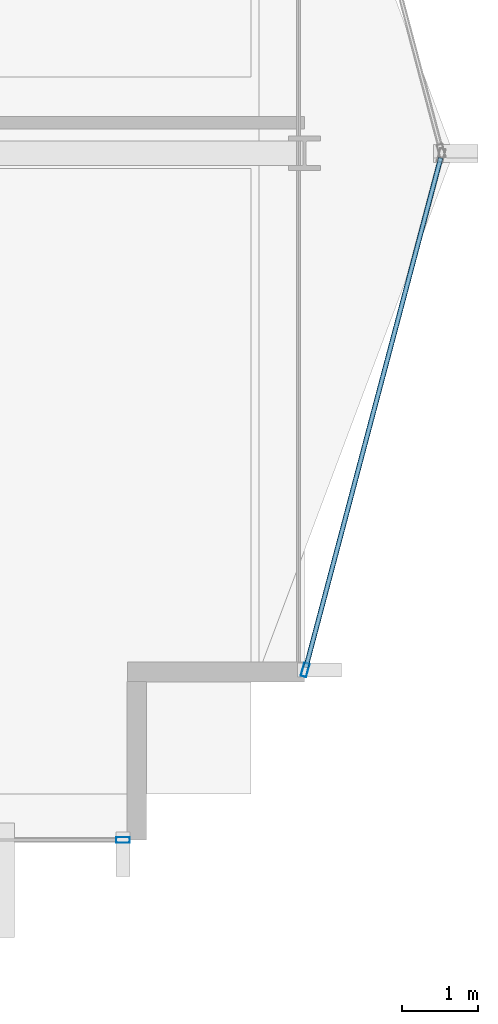
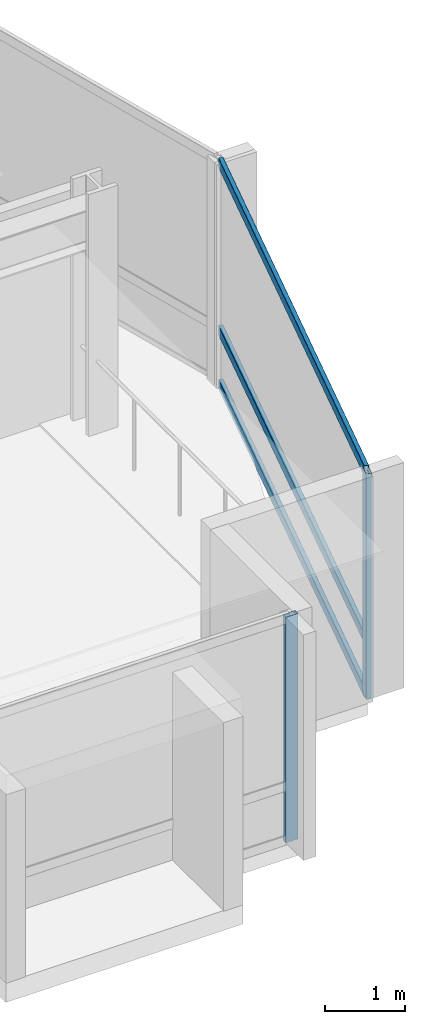
# One storey, part 11 of 28: 5 members, 2 elements without a shape of their own.
"""IFC4 building model written with IfcOpenShell, lengths in metres."""

from ifc_helpers import new_model, si_unit, direction, frame, origin, origin_2d, place, context, subcontext, project, spatial, hollow_rectangle, extrude, material, layer, layer_set, material_profile, profile_set, type_object, element, aggregate, save


model = new_model("IFC4")

# Units and contexts
model_context = context("Model", 3, precision=1e-05, world=origin(), true_north=direction((0.0, 1.0)))
body_context = subcontext(model_context, "Body", "Model", "MODEL_VIEW")
ifc_project = project(units=[si_unit("LENGTHUNIT", "METRE"), si_unit("AREAUNIT", "SQUARE_METRE"), si_unit("VOLUMEUNIT", "CUBIC_METRE"), si_unit("PLANEANGLEUNIT", "RADIAN"), si_unit("MASSUNIT", "GRAM", prefix="KILO")], contexts=[model_context])

# Site, building, storey
site_placement = place(None, origin())
site = spatial("IfcSite", under=ifc_project, at=site_placement, CompositionType="ELEMENT")
building_placement = place(site_placement, origin())
building = spatial("IfcBuilding", under=site, at=building_placement, Name="Solvaryn Broadcast Tower", CompositionType="ELEMENT")
storey_placement = place(building_placement, frame((0.0, 0.0, 132.199951171875)))
storey = spatial("IfcBuildingStorey", under=building, at=storey_placement, Name="L32", CompositionType="ELEMENT", Elevation=132.199951171875)

# Curtain wall, member
ifc_material_1 = material(Name="Aluminium and Terracotta Unitised Curtain Wall", Category="masonry")
ifc_layer = layer(ifc_material_1, 0.199951171875)
ifc_layer_set = layer_set([ifc_layer], Name="CW-SYS2-LOWMID")
curtain_wall_type = type_object("IfcCurtainWallType", Name="CW-SYS2-LOWMID", PredefinedType="NOTDEFINED", material=ifc_layer_set)
curtain_wall_1_placement = place(storey_placement, origin())
curtain_wall_1 = element("IfcCurtainWall", 1, at=curtain_wall_1_placement, inside=storey, type_object=curtain_wall_type, Name="L32 Curtain Wall S2", PredefinedType="NOTDEFINED")
ifc_material_2 = material(Name="Anodised Aluminium 6063-T6", Category="aluminium")
ifc_material_profile_1 = material_profile(ifc_material_2, hollow_rectangle(XDim=0.074951171875, YDim=0.179931640625, WallThickness=0.00390625, InnerFilletRadius=0.00390625, OuterFilletRadius=0.008056640625, at=origin_2d()))
ifc_profile_set_1 = profile_set([ifc_material_profile_1], Name="Anodised Aluminium 6063-T6")
member_type_1 = type_object("IfcMemberType", Name="CW-MUL-180", PredefinedType="MULLION", material=ifc_profile_set_1)
member_1_placement = place(storey_placement, frame((51.6201171875, 9.0, 0.0), z_axis=(0.0, 0.0, 1.0), x_axis=(0.0, 1.0, 0.0)))
member_1 = element("IfcMember", 2, at=member_1_placement, type_object=member_type_1, Name="CWS2 mullion 2", PredefinedType="MULLION", context=body_context, shape_type="SweptSolid", body=[
    extrude(hollow_rectangle(XDim=0.074951171875, YDim=0.179931640625, WallThickness=0.00390625, InnerFilletRadius=0.00390625, OuterFilletRadius=0.008056640625, at=origin_2d()), origin(), (0.0, 0.0, 1.0), 3.420166015625),
])
aggregate(curtain_wall_1, [member_1])

# Curtain wall, members
curtain_wall_2_placement = place(storey_placement, origin())
curtain_wall_2 = element("IfcCurtainWall", 3, at=curtain_wall_2_placement, inside=storey, type_object=curtain_wall_type, Name="L32 Curtain Wall ET2", PredefinedType="NOTDEFINED")
member_2_placement = place(storey_placement, frame((54.007568359375, 11.22900390625, 0.0), z_axis=(0.0, 0.0, 1.0), x_axis=(0.966705227863, -0.25589256031, 0.0)))
member_2 = element("IfcMember", 4, at=member_2_placement, type_object=member_type_1, Name="CWS2 mullion 2", PredefinedType="MULLION", context=body_context, shape_type="SweptSolid", body=[
    extrude(hollow_rectangle(XDim=0.074951171875, YDim=0.179931640625, WallThickness=0.00390625, InnerFilletRadius=0.00390625, OuterFilletRadius=0.008056640625, at=origin_2d()), origin(), (0.0, 0.0, 1.0), 3.420166015625),
])
ifc_material_3 = material(Name="Anodised Aluminium 6063-T6", Category="aluminium")
ifc_material_profile_2 = material_profile(ifc_material_3, hollow_rectangle(XDim=0.06494140625, YDim=0.14990234375, WallThickness=0.00390625, InnerFilletRadius=0.00390625, OuterFilletRadius=0.008056640625, at=origin_2d()))
ifc_profile_set_2 = profile_set([ifc_material_profile_2], Name="Anodised Aluminium 6063-T6")
member_type_2 = type_object("IfcMemberType", Name="CW-TRN-150", PredefinedType="USERDEFINED", material=ifc_profile_set_2)
member_3_placement = place(storey_placement, frame((55.78466796875, 17.94189453125, 0.030029296875), z_axis=(-0.255897413051, -0.966703943301, 0.0), x_axis=(0.966703943301, -0.255897413051, 0.0)))
member_3 = element("IfcMember", 5, at=member_3_placement, type_object=member_type_2, Name="CWS2 transom 1.1", ObjectType="TRANSOM", PredefinedType="USERDEFINED", context=body_context, shape_type="SweptSolid", body=[
    extrude(hollow_rectangle(XDim=0.06494140625, YDim=0.14990234375, WallThickness=0.00390625, InnerFilletRadius=0.00390625, OuterFilletRadius=0.008056640625, at=origin_2d()), origin(), (0.0, 0.0, 1.0), 6.9140625),
])
member_4_placement = place(storey_placement, frame((55.78466796875, 17.94189453125, 0.85009765625), z_axis=(-0.255897413051, -0.966703943301, 0.0), x_axis=(0.966703943301, -0.255897413051, 0.0)))
member_4 = element("IfcMember", 6, at=member_4_placement, type_object=member_type_2, Name="CWS2 transom 1.2", ObjectType="TRANSOM", PredefinedType="USERDEFINED", context=body_context, shape_type="SweptSolid", body=[
    extrude(hollow_rectangle(XDim=0.06494140625, YDim=0.14990234375, WallThickness=0.00390625, InnerFilletRadius=0.00390625, OuterFilletRadius=0.008056640625, at=origin_2d()), origin(), (0.0, 0.0, 1.0), 6.9140625),
])
member_5_placement = place(storey_placement, frame((55.78466796875, 17.94189453125, 3.39013671875), z_axis=(-0.255897413051, -0.966703943301, 0.0), x_axis=(0.966703943301, -0.255897413051, 0.0)))
member_5 = element("IfcMember", 7, at=member_5_placement, type_object=member_type_2, Name="CWS2 transom 1.3", ObjectType="TRANSOM", PredefinedType="USERDEFINED", context=body_context, shape_type="SweptSolid", body=[
    extrude(hollow_rectangle(XDim=0.06494140625, YDim=0.14990234375, WallThickness=0.00390625, InnerFilletRadius=0.00390625, OuterFilletRadius=0.008056640625, at=origin_2d()), origin(), (0.0, 0.0, 1.0), 6.9140625),
])
aggregate(curtain_wall_2, [member_2, member_3, member_4, member_5])

save(model, "model.ifc")
